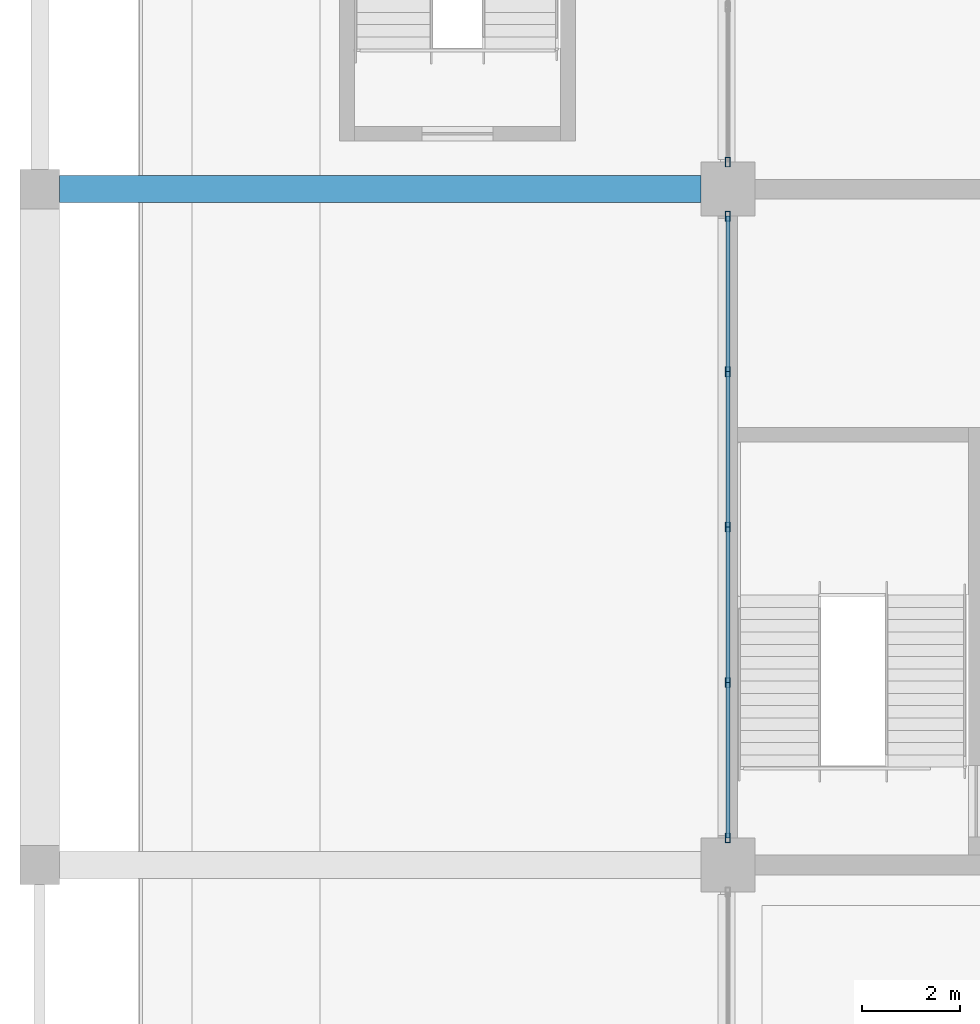
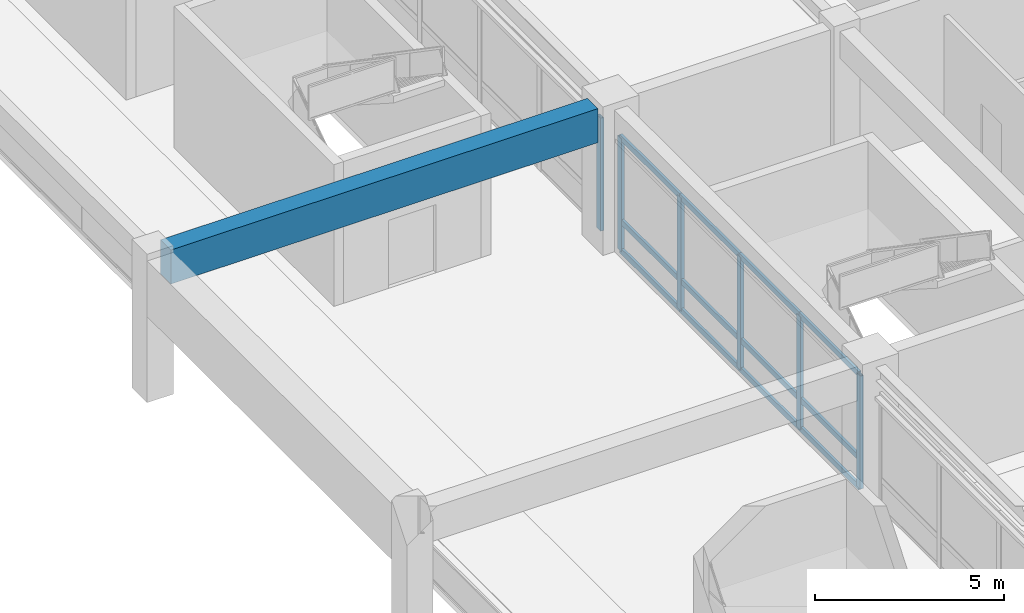
# One storey, part 31 of 91: 18 members, 1 beam, 2 elements without a shape of their own.
"""IFC4 building model written with IfcOpenShell, lengths in metres."""

from ifc_helpers import new_model, si_unit, direction, frame, origin, origin_2d, place, context, subcontext, project, spatial, rectangle, hollow_rectangle, extrude, material, material_profile, profile_set, type_object, element, aggregate, save


model = new_model("IFC4")

# Units and contexts
model_context = context("Model", 3, precision=1e-05, world=origin(), true_north=direction((0.0, 1.0)))
body_context = subcontext(model_context, "Body", "Model", "MODEL_VIEW")
ifc_project = project(units=[si_unit("LENGTHUNIT", "METRE"), si_unit("AREAUNIT", "SQUARE_METRE"), si_unit("VOLUMEUNIT", "CUBIC_METRE"), si_unit("PLANEANGLEUNIT", "RADIAN"), si_unit("MASSUNIT", "GRAM", prefix="KILO")], contexts=[model_context])

# Site, building, storey
site_placement = place(None, origin())
site = spatial("IfcSite", under=ifc_project, at=site_placement, CompositionType="ELEMENT")
building_placement = place(site_placement, origin())
building = spatial("IfcBuilding", under=site, at=building_placement, Name="Linyun Crest Stadium", CompositionType="ELEMENT")
storey_placement = place(building_placement, frame((0.0, 0.0, 11.39990234375)))
storey = spatial("IfcBuildingStorey", under=building, at=storey_placement, Name="L03", CompositionType="ELEMENT", Elevation=11.39990234375)

# Curtain wall, members
ifc_material_1 = material(Name="Verdigris steel and low-E curtain wall assembly", Category="steel")
curtain_wall_type = type_object("IfcCurtainWallType", Name="MCW02", PredefinedType="NOTDEFINED", material=ifc_material_1)
curtain_wall_1_placement = place(storey_placement, origin())
curtain_wall_1 = element("IfcCurtainWall", 1, at=curtain_wall_1_placement, inside=storey, type_object=curtain_wall_type, Name="CWR-101", PredefinedType="NOTDEFINED")
ifc_material_2 = material(Name="Verdigris painted steel Q355C mullion", Category="steel")
ifc_material_profile_1 = material_profile(ifc_material_2, hollow_rectangle(XDim=0.10009765625, YDim=0.199951171875, WallThickness=0.008056640625, at=origin_2d()), Name="RHS 200x100x8")
ifc_profile_set_1 = profile_set([ifc_material_profile_1], Name="Verdigris painted steel Q355C mullion")
member_type_1 = type_object("IfcMemberType", Name="ML03", PredefinedType="MULLION", material=ifc_profile_set_1)
member_1_placement = place(storey_placement, frame((-84.0, 2.675048828125, 0.0), z_axis=(0.0, 0.0, 1.0), x_axis=(-1.0, 0.0, 0.0)))
member_1 = element("IfcMember", 2, at=member_1_placement, type_object=member_type_1, Name="CWR-101 mullion 1", PredefinedType="MULLION", context=body_context, shape_type="SweptSolid", body=[
    extrude(hollow_rectangle(XDim=0.10009765625, YDim=0.199951171875, WallThickness=0.008056640625, at=origin_2d()), origin(), (0.0, 0.0, 1.0), 3.650146484375),
])
member_2_placement = place(storey_placement, frame((-84.0, 5.8369140625, 0.0), z_axis=(0.0, 0.0, 1.0), x_axis=(-1.0, 0.0, 0.0)))
member_2 = element("IfcMember", 3, at=member_2_placement, type_object=member_type_1, Name="CWR-101 mullion 2", PredefinedType="MULLION", context=body_context, shape_type="SweptSolid", body=[
    extrude(hollow_rectangle(XDim=0.10009765625, YDim=0.199951171875, WallThickness=0.008056640625, at=origin_2d()), origin(), (0.0, 0.0, 1.0), 3.650146484375),
])
member_3_placement = place(storey_placement, frame((-84.0, 9.0, 0.0), z_axis=(0.0, 0.0, 1.0), x_axis=(-1.0, 0.0, 0.0)))
member_3 = element("IfcMember", 4, at=member_3_placement, type_object=member_type_1, Name="CWR-101 mullion 3", PredefinedType="MULLION", context=body_context, shape_type="SweptSolid", body=[
    extrude(hollow_rectangle(XDim=0.10009765625, YDim=0.199951171875, WallThickness=0.008056640625, at=origin_2d()), origin(), (0.0, 0.0, 1.0), 3.650146484375),
])
member_4_placement = place(storey_placement, frame((-84.0, 12.162109375, 0.0), z_axis=(0.0, 0.0, 1.0), x_axis=(-1.0, 0.0, 0.0)))
member_4 = element("IfcMember", 5, at=member_4_placement, type_object=member_type_1, Name="CWR-101 mullion 4", PredefinedType="MULLION", context=body_context, shape_type="SweptSolid", body=[
    extrude(hollow_rectangle(XDim=0.10009765625, YDim=0.199951171875, WallThickness=0.008056640625, at=origin_2d()), origin(), (0.0, 0.0, 1.0), 3.650146484375),
])
member_5_placement = place(storey_placement, frame((-84.0, 15.324951171875, 0.0), z_axis=(0.0, 0.0, 1.0), x_axis=(-1.0, 0.0, 0.0)))
member_5 = element("IfcMember", 6, at=member_5_placement, type_object=member_type_1, Name="CWR-101 mullion 5", PredefinedType="MULLION", context=body_context, shape_type="SweptSolid", body=[
    extrude(hollow_rectangle(XDim=0.10009765625, YDim=0.199951171875, WallThickness=0.008056640625, at=origin_2d()), origin(), (0.0, 0.0, 1.0), 3.650146484375),
])

# Curtain wall, member
curtain_wall_2_placement = place(storey_placement, origin())
curtain_wall_2 = element("IfcCurtainWall", 7, at=curtain_wall_2_placement, inside=storey, type_object=curtain_wall_type, Name="CWR-110", PredefinedType="NOTDEFINED")
member_6_placement = place(storey_placement, frame((-84.0, 16.425048828125, 0.0), z_axis=(0.0, 0.0, 1.0), x_axis=(-1.0, 0.0, 0.0)))
member_6 = element("IfcMember", 8, at=member_6_placement, type_object=member_type_1, Name="CWR-110 mullion 1", PredefinedType="MULLION", context=body_context, shape_type="SweptSolid", body=[
    extrude(hollow_rectangle(XDim=0.10009765625, YDim=0.199951171875, WallThickness=0.008056640625, at=origin_2d()), origin(), (0.0, 0.0, 1.0), 3.650146484375),
])
aggregate(curtain_wall_2, [member_6])

# Beam
ifc_material_3 = material(Name="Concrete C50", Category="concrete")
ifc_material_profile_2 = material_profile(ifc_material_3, rectangle(XDim=0.550048828125, YDim=1.10009765625, at=origin_2d()), Name="RCB 1100x550")
ifc_profile_set_2 = profile_set([ifc_material_profile_2], Name="Concrete C50")
beam_type = type_object("IfcBeamType", Name="TB01", PredefinedType="USERDEFINED", material=ifc_profile_set_2)
beam_placement = place(storey_placement, frame((-97.60009765625, 15.875, 4.030029296875), z_axis=(1.0, 0.0, 0.0), x_axis=(0.0, 1.0, 0.0)))
element("IfcBeam", 9, at=beam_placement, inside=storey, type_object=beam_type, Name="Frame beam TB01 L03 245", ObjectType="GIRDER", PredefinedType="USERDEFINED", context=body_context, shape_type="SweptSolid", body=[
    extrude(rectangle(XDim=0.550048828125, YDim=1.10009765625, at=origin_2d()), origin(), (0.0, 0.0, 1.0), 13.050048828125),
])

# Member
ifc_material_4 = material(Name="Verdigris painted steel Q355B transom", Category="steel")
ifc_material_profile_3 = material_profile(ifc_material_4, hollow_rectangle(XDim=0.080078125, YDim=0.179931640625, WallThickness=0.006103515625, at=origin_2d()), Name="RHS 180x80x6")
ifc_profile_set_3 = profile_set([ifc_material_profile_3], Name="Verdigris painted steel Q355B transom")
member_type_2 = type_object("IfcMemberType", Name="TR02", PredefinedType="USERDEFINED", material=ifc_profile_set_3)
member_7_placement = place(storey_placement, frame((-84.0, 2.675048828125, 0.0), z_axis=(0.0, 1.0, 0.0), x_axis=(-1.0, 0.0, 0.0)))
member_7 = element("IfcMember", 10, at=member_7_placement, type_object=member_type_2, Name="CWR-101 transom 1.1", ObjectType="TRANSOM", PredefinedType="USERDEFINED", context=body_context, shape_type="SweptSolid", body=[
    extrude(hollow_rectangle(XDim=0.080078125, YDim=0.179931640625, WallThickness=0.006103515625, at=origin_2d()), origin(), (0.0, 0.0, 1.0), 3.161865234375),
])

member_8_placement = place(storey_placement, frame((-84.0, 2.675048828125, 0.9501953125), z_axis=(0.0, 1.0, 0.0), x_axis=(-1.0, 0.0, 0.0)))
member_8 = element("IfcMember", 11, at=member_8_placement, type_object=member_type_2, Name="CWR-101 transom 1.2", ObjectType="TRANSOM", PredefinedType="USERDEFINED", context=body_context, shape_type="SweptSolid", body=[
    extrude(hollow_rectangle(XDim=0.080078125, YDim=0.179931640625, WallThickness=0.006103515625, at=origin_2d()), origin(), (0.0, 0.0, 1.0), 3.161865234375),
])

member_9_placement = place(storey_placement, frame((-84.0, 2.675048828125, 3.650146484375), z_axis=(0.0, 1.0, 0.0), x_axis=(-1.0, 0.0, 0.0)))
member_9 = element("IfcMember", 12, at=member_9_placement, type_object=member_type_2, Name="CWR-101 transom 1.3", ObjectType="TRANSOM", PredefinedType="USERDEFINED", context=body_context, shape_type="SweptSolid", body=[
    extrude(hollow_rectangle(XDim=0.080078125, YDim=0.179931640625, WallThickness=0.006103515625, at=origin_2d()), origin(), (0.0, 0.0, 1.0), 3.161865234375),
])

member_10_placement = place(storey_placement, frame((-84.0, 5.8369140625, 0.0), z_axis=(0.0, 1.0, 0.0), x_axis=(-1.0, 0.0, 0.0)))
member_10 = element("IfcMember", 13, at=member_10_placement, type_object=member_type_2, Name="CWR-101 transom 2.1", ObjectType="TRANSOM", PredefinedType="USERDEFINED", context=body_context, shape_type="SweptSolid", body=[
    extrude(hollow_rectangle(XDim=0.080078125, YDim=0.179931640625, WallThickness=0.006103515625, at=origin_2d()), origin(), (0.0, 0.0, 1.0), 3.1630859375),
])

member_11_placement = place(storey_placement, frame((-84.0, 5.8369140625, 0.9501953125), z_axis=(0.0, 1.0, 0.0), x_axis=(-1.0, 0.0, 0.0)))
member_11 = element("IfcMember", 14, at=member_11_placement, type_object=member_type_2, Name="CWR-101 transom 2.2", ObjectType="TRANSOM", PredefinedType="USERDEFINED", context=body_context, shape_type="SweptSolid", body=[
    extrude(hollow_rectangle(XDim=0.080078125, YDim=0.179931640625, WallThickness=0.006103515625, at=origin_2d()), origin(), (0.0, 0.0, 1.0), 3.1630859375),
])

member_12_placement = place(storey_placement, frame((-84.0, 5.8369140625, 3.650146484375), z_axis=(0.0, 1.0, 0.0), x_axis=(-1.0, 0.0, 0.0)))
member_12 = element("IfcMember", 15, at=member_12_placement, type_object=member_type_2, Name="CWR-101 transom 2.3", ObjectType="TRANSOM", PredefinedType="USERDEFINED", context=body_context, shape_type="SweptSolid", body=[
    extrude(hollow_rectangle(XDim=0.080078125, YDim=0.179931640625, WallThickness=0.006103515625, at=origin_2d()), origin(), (0.0, 0.0, 1.0), 3.1630859375),
])

member_13_placement = place(storey_placement, frame((-84.0, 9.0, 0.0), z_axis=(0.0, 1.0, 0.0), x_axis=(-1.0, 0.0, 0.0)))
member_13 = element("IfcMember", 16, at=member_13_placement, type_object=member_type_2, Name="CWR-101 transom 3.1", ObjectType="TRANSOM", PredefinedType="USERDEFINED", context=body_context, shape_type="SweptSolid", body=[
    extrude(hollow_rectangle(XDim=0.080078125, YDim=0.179931640625, WallThickness=0.006103515625, at=origin_2d()), origin(), (0.0, 0.0, 1.0), 3.162109375),
])

member_14_placement = place(storey_placement, frame((-84.0, 9.0, 0.9501953125), z_axis=(0.0, 1.0, 0.0), x_axis=(-1.0, 0.0, 0.0)))
member_14 = element("IfcMember", 17, at=member_14_placement, type_object=member_type_2, Name="CWR-101 transom 3.2", ObjectType="TRANSOM", PredefinedType="USERDEFINED", context=body_context, shape_type="SweptSolid", body=[
    extrude(hollow_rectangle(XDim=0.080078125, YDim=0.179931640625, WallThickness=0.006103515625, at=origin_2d()), origin(), (0.0, 0.0, 1.0), 3.162109375),
])

member_15_placement = place(storey_placement, frame((-84.0, 9.0, 3.650146484375), z_axis=(0.0, 1.0, 0.0), x_axis=(-1.0, 0.0, 0.0)))
member_15 = element("IfcMember", 18, at=member_15_placement, type_object=member_type_2, Name="CWR-101 transom 3.3", ObjectType="TRANSOM", PredefinedType="USERDEFINED", context=body_context, shape_type="SweptSolid", body=[
    extrude(hollow_rectangle(XDim=0.080078125, YDim=0.179931640625, WallThickness=0.006103515625, at=origin_2d()), origin(), (0.0, 0.0, 1.0), 3.162109375),
])

member_16_placement = place(storey_placement, frame((-84.0, 12.162109375, 0.0), z_axis=(0.0, 1.0, 0.0), x_axis=(-1.0, 0.0, 0.0)))
member_16 = element("IfcMember", 19, at=member_16_placement, type_object=member_type_2, Name="CWR-101 transom 4.1", ObjectType="TRANSOM", PredefinedType="USERDEFINED", context=body_context, shape_type="SweptSolid", body=[
    extrude(hollow_rectangle(XDim=0.080078125, YDim=0.179931640625, WallThickness=0.006103515625, at=origin_2d()), origin(), (0.0, 0.0, 1.0), 3.162841796875),
])

member_17_placement = place(storey_placement, frame((-84.0, 12.162109375, 0.9501953125), z_axis=(0.0, 1.0, 0.0), x_axis=(-1.0, 0.0, 0.0)))
member_17 = element("IfcMember", 20, at=member_17_placement, type_object=member_type_2, Name="CWR-101 transom 4.2", ObjectType="TRANSOM", PredefinedType="USERDEFINED", context=body_context, shape_type="SweptSolid", body=[
    extrude(hollow_rectangle(XDim=0.080078125, YDim=0.179931640625, WallThickness=0.006103515625, at=origin_2d()), origin(), (0.0, 0.0, 1.0), 3.162841796875),
])

member_18_placement = place(storey_placement, frame((-84.0, 12.162109375, 3.650146484375), z_axis=(0.0, 1.0, 0.0), x_axis=(-1.0, 0.0, 0.0)))
member_18 = element("IfcMember", 21, at=member_18_placement, type_object=member_type_2, Name="CWR-101 transom 4.3", ObjectType="TRANSOM", PredefinedType="USERDEFINED", context=body_context, shape_type="SweptSolid", body=[
    extrude(hollow_rectangle(XDim=0.080078125, YDim=0.179931640625, WallThickness=0.006103515625, at=origin_2d()), origin(), (0.0, 0.0, 1.0), 3.162841796875),
])

aggregate(curtain_wall_1, [member_1, member_2, member_3, member_4, member_5, member_7, member_8, member_9, member_10, member_11, member_12, member_13, member_14, member_15, member_16, member_17, member_18])

save(model, "model.ifc")
